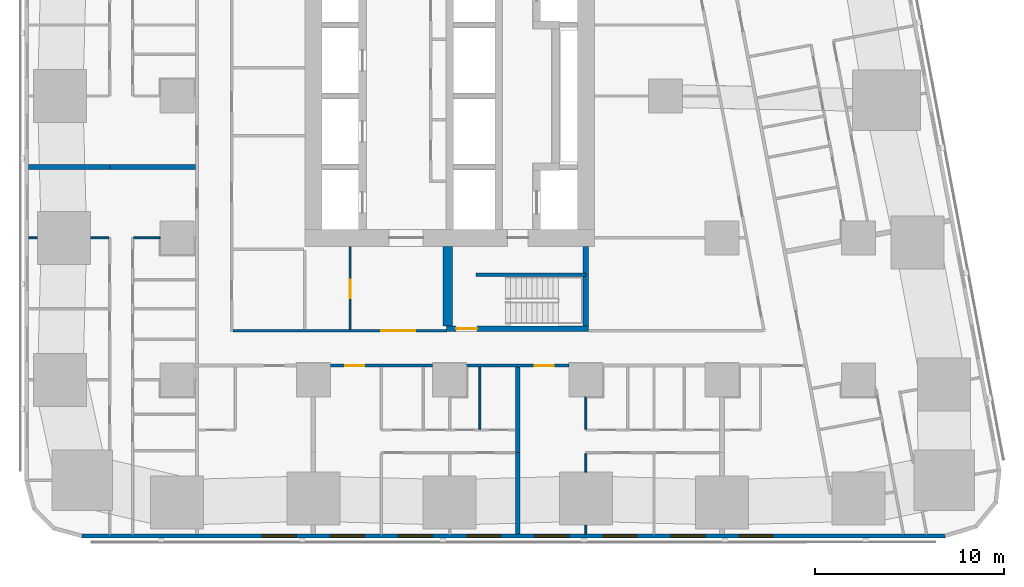
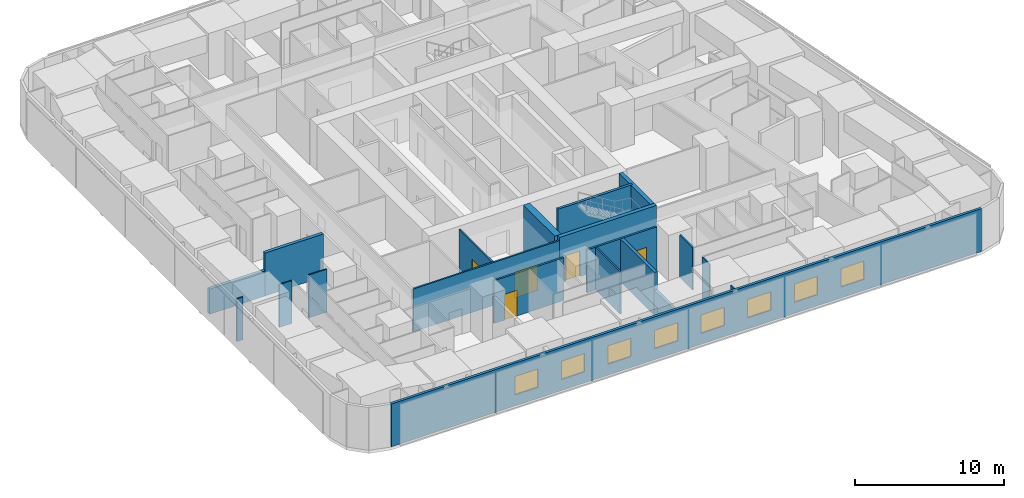
# One storey, part 3 of 18: 20 walls, 8 windows, 5 doors, 13 openings.
"""IFC4 building model written with IfcOpenShell, lengths in metres."""

from ifc_helpers import new_model, si_unit, direction, frame, frame_2d, origin, place, context, subcontext, project, spatial, rectangle, extrude, material, layer, layer_set, type_object, element, fill, save


model = new_model("IFC4")

# Units and contexts
model_context = context("Model", 3, precision=1e-05, world=origin(), true_north=direction((0.0, 1.0)))
body_context = subcontext(model_context, "Body", "Model", "MODEL_VIEW")
ifc_project = project(units=[si_unit("LENGTHUNIT", "METRE"), si_unit("AREAUNIT", "SQUARE_METRE"), si_unit("VOLUMEUNIT", "CUBIC_METRE"), si_unit("PLANEANGLEUNIT", "RADIAN"), si_unit("MASSUNIT", "GRAM", prefix="KILO")], contexts=[model_context])

# Site, building, storey
site_placement = place(None, origin())
site = spatial("IfcSite", under=ifc_project, at=site_placement, CompositionType="ELEMENT")
building_placement = place(site_placement, origin())
building = spatial("IfcBuilding", under=site, at=building_placement, Name="Sheger Commons Tower", CompositionType="ELEMENT")
storey_placement = place(building_placement, frame((0.0, 0.0, 38.75)))
storey = spatial("IfcBuildingStorey", under=building, at=storey_placement, Name="L09", CompositionType="ELEMENT", Elevation=38.75)

# Wall, opening, door
ifc_material_1 = material(Name="Hollow concrete block masonry, skimmed both sides", Category="masonry")
ifc_layer_1 = layer(ifc_material_1, 0.14990234375)
ifc_layer_set_1 = layer_set([ifc_layer_1], Name="CORRIDOR WALL 150")
wall_type_1 = type_object("IfcWallType", Name="CORRIDOR WALL 150", PredefinedType="SOLIDWALL", material=ifc_layer_set_1)
wall_1_placement = place(storey_placement, frame((27.89892578125, 8.25, 0.0), z_axis=(0.0, 0.0, 1.0), x_axis=(-1.0, 0.0, 0.0)))
wall_1 = element("IfcWall", 1, at=wall_1_placement, inside=storey, type_object=wall_type_1, Name="Corridor wall L09", PredefinedType="SOLIDWALL", context=body_context, shape_type="SweptSolid", body=[
    extrude(rectangle(XDim=5.39794921875, YDim=0.14990234375, at=frame_2d((2.698974609375, 0.0))), origin(), (0.0, 0.0, 1.0), 3.5),
])
opening_1_placement = place(wall_1_placement, frame((0.799072265625, 0.0, 0.0)))
opening_1 = element("IfcOpeningElement", 2, at=opening_1_placement, cuts=wall_1, Name="Opening D1", PredefinedType="OPENING", context=body_context, shape_type="SweptSolid", body=[
    extrude(rectangle(XDim=1.0, YDim=2.10009765625, at=frame_2d((0.5, 1.050048828125))), frame((0.0, 0.0849609375, 0.0), z_axis=(0.0, -1.0, 0.0), x_axis=(1.0, 0.0, 0.0)), (0.0, 0.0, 1.0), 0.169921875),
])
ifc_material_2 = material(Name="Steel door set, fire rated", Category="steel")
door_type_1 = type_object("IfcDoorType", Name="FLAT ENTRANCE DOOR 1000x2100", OperationType="NOTDEFINED", PredefinedType="DOOR", material=ifc_material_2)
door_1_placement = place(opening_1_placement, origin())
door_1 = element("IfcDoor", 3, at=door_1_placement, inside=storey, type_object=door_type_1, Name="Flat entrance door", OperationType="SINGLE_SWING_LEFT", OverallHeight=2.10009765625, OverallWidth=1.0, PredefinedType="DOOR", context=body_context, shape_type="SweptSolid", body=[
    extrude(rectangle(XDim=1.0, YDim=2.10009765625, at=frame_2d((0.5, 1.050048828125))), frame((0.0, 0.02490234375, 0.0), z_axis=(0.0, -1.0, 0.0), x_axis=(1.0, 0.0, 0.0)), (0.0, 0.0, 1.0), 0.050048828125),
])
fill(opening_1, door_1)

wall_2_placement = place(storey_placement, frame((20.698974609375, 8.25, 0.0), z_axis=(0.0, 0.0, 1.0), x_axis=(-1.0, 0.0, 0.0)))
wall_2 = element("IfcWall", 4, at=wall_2_placement, inside=storey, type_object=wall_type_1, Name="Corridor wall L09", PredefinedType="SOLIDWALL", context=body_context, shape_type="SweptSolid", body=[
    extrude(rectangle(XDim=5.39794921875, YDim=0.14990234375, at=frame_2d((2.698974609375, 0.0))), origin(), (0.0, 0.0, 1.0), 3.5),
])
opening_2_placement = place(wall_2_placement, frame((3.59912109375, 0.0, 0.0)))
opening_2 = element("IfcOpeningElement", 5, at=opening_2_placement, cuts=wall_2, Name="Opening D1", PredefinedType="OPENING", context=body_context, shape_type="SweptSolid", body=[
    extrude(rectangle(XDim=1.0, YDim=2.10009765625, at=frame_2d((0.5, 1.050048828125))), frame((0.0, 0.0849609375, 0.0), z_axis=(0.0, -1.0, 0.0), x_axis=(1.0, 0.0, 0.0)), (0.0, 0.0, 1.0), 0.169921875),
])
door_2_placement = place(opening_2_placement, origin())
door_2 = element("IfcDoor", 6, at=door_2_placement, inside=storey, type_object=door_type_1, Name="Flat entrance door", OperationType="SINGLE_SWING_RIGHT", OverallHeight=2.10009765625, OverallWidth=1.0, PredefinedType="DOOR", context=body_context, shape_type="SweptSolid", body=[
    extrude(rectangle(XDim=1.0, YDim=2.10009765625, at=frame_2d((0.5, 1.050048828125))), frame((0.0, 0.02490234375, 0.0), z_axis=(0.0, -1.0, 0.0), x_axis=(1.0, 0.0, 0.0)), (0.0, 0.0, 1.0), 0.050048828125),
])
fill(opening_2, door_2)

# Walls
ifc_material_3 = material(Name="Dense concrete block masonry, plastered both sides (separating wall between flats)", Category="masonry")
ifc_layer_2 = layer(ifc_material_3, 0.25)
ifc_layer_set_2 = layer_set([ifc_layer_2], Name="DEMISING WALL 250")
wall_type_2 = type_object("IfcWallType", Name="DEMISING WALL 250", PredefinedType="SOLIDWALL", material=ifc_layer_set_2)
wall_3_placement = place(storey_placement, frame((-0.64990234375, 18.75, 0.0), z_axis=(0.0, 0.0, 1.0), x_axis=(1.0, 0.0, 0.0)))
element("IfcWall", 7, at=wall_3_placement, inside=storey, type_object=wall_type_2, Name="Demising wall L09", PredefinedType="SOLIDWALL", context=body_context, shape_type="SweptSolid", body=[
    extrude(rectangle(XDim=4.2998046875, YDim=0.25, at=frame_2d((2.14990234375, 0.0))), origin(), (0.0, 0.0, 1.0), 2.050048828125),
])
wall_4_placement = place(storey_placement, frame((3.64990234375, 18.75, 0.0), z_axis=(0.0, 0.0, 1.0), x_axis=(1.0, 0.0, 0.0)))
element("IfcWall", 8, at=wall_4_placement, inside=storey, type_object=wall_type_2, Name="Demising wall L09", PredefinedType="SOLIDWALL", context=body_context, shape_type="SweptSolid", body=[
    extrude(rectangle(XDim=4.525146484375, YDim=0.25, at=frame_2d((2.2626953125, 0.0))), origin(), (0.0, 0.0, 1.0), 3.5),
])
wall_5_placement = place(storey_placement, frame((25.199951171875, -0.64990234375, 0.0), z_axis=(0.0, 0.0, 1.0), x_axis=(0.0, 1.0, 0.0)))
element("IfcWall", 9, at=wall_5_placement, inside=storey, type_object=wall_type_2, Name="Demising wall L09", PredefinedType="SOLIDWALL", context=body_context, shape_type="SweptSolid", body=[
    extrude(rectangle(XDim=4.2998046875, YDim=0.25, at=frame_2d((2.14990234375, 0.0))), origin(), (0.0, 0.0, 1.0), 2.050048828125),
])
wall_6_placement = place(storey_placement, frame((25.199951171875, 3.64990234375, 0.0), z_axis=(0.0, 0.0, 1.0), x_axis=(0.0, 1.0, 0.0)))
element("IfcWall", 10, at=wall_6_placement, inside=storey, type_object=wall_type_2, Name="Demising wall L09", PredefinedType="SOLIDWALL", context=body_context, shape_type="SweptSolid", body=[
    extrude(rectangle(XDim=4.525146484375, YDim=0.25, at=frame_2d((2.2626953125, 0.0))), origin(), (0.0, 0.0, 1.0), 3.5),
])

# Wall, openings, windows
ifc_material_4 = material(Name="Rendered concrete block masonry, dark grey", Category="masonry")
ifc_layer_3 = layer(ifc_material_4, 0.199951171875)
ifc_layer_set_3 = layer_set([ifc_layer_3], Name="FACADE WALL 200")
wall_type_3 = type_object("IfcWallType", Name="FACADE WALL 200", PredefinedType="SOLIDWALL", material=ifc_layer_set_3)
wall_7_placement = place(storey_placement, frame((2.1630859375, -0.75, 0.0), z_axis=(0.0, 0.0, 1.0), x_axis=(1.0, 0.0, 0.0)))
wall_7 = element("IfcWall", 11, at=wall_7_placement, inside=storey, type_object=wall_type_3, Name="Facade wall L09", PredefinedType="SOLIDWALL", context=body_context, shape_type="SweptSolid", body=[
    extrude(rectangle(XDim=45.6279296875, YDim=0.199951171875, at=frame_2d((22.81396484375, 0.0))), origin(), (0.0, 0.0, 1.0), 3.5),
])
opening_3_placement = place(wall_7_placement, frame((9.537109375, 0.0, 0.89990234375)))
opening_3 = element("IfcOpeningElement", 12, at=opening_3_placement, cuts=wall_7, Name="Opening W2", PredefinedType="OPENING", context=body_context, shape_type="SweptSolid", body=[
    extrude(rectangle(XDim=1.800048828125, YDim=1.5, at=frame_2d((0.89990234375, 0.75))), frame((0.0, 0.10986328125, 0.0), z_axis=(0.0, -1.0, 0.0), x_axis=(1.0, 0.0, 0.0)), (0.0, 0.0, 1.0), 0.219970703125),
])
opening_4_placement = place(wall_7_placement, frame((13.136962890625, 0.0, 0.89990234375)))
opening_4 = element("IfcOpeningElement", 13, at=opening_4_placement, cuts=wall_7, Name="Opening W2", PredefinedType="OPENING", context=body_context, shape_type="SweptSolid", body=[
    extrude(rectangle(XDim=1.800048828125, YDim=1.5, at=frame_2d((0.89990234375, 0.75))), frame((0.0, 0.10986328125, 0.0), z_axis=(0.0, -1.0, 0.0), x_axis=(1.0, 0.0, 0.0)), (0.0, 0.0, 1.0), 0.219970703125),
])
opening_5_placement = place(wall_7_placement, frame((16.737060546875, 0.0, 0.89990234375)))
opening_5 = element("IfcOpeningElement", 14, at=opening_5_placement, cuts=wall_7, Name="Opening W2", PredefinedType="OPENING", context=body_context, shape_type="SweptSolid", body=[
    extrude(rectangle(XDim=1.800048828125, YDim=1.5, at=frame_2d((0.89990234375, 0.75))), frame((0.0, 0.10986328125, 0.0), z_axis=(0.0, -1.0, 0.0), x_axis=(1.0, 0.0, 0.0)), (0.0, 0.0, 1.0), 0.219970703125),
])
opening_6_placement = place(wall_7_placement, frame((20.3369140625, 0.0, 0.89990234375)))
opening_6 = element("IfcOpeningElement", 15, at=opening_6_placement, cuts=wall_7, Name="Opening W2", PredefinedType="OPENING", context=body_context, shape_type="SweptSolid", body=[
    extrude(rectangle(XDim=1.800048828125, YDim=1.5, at=frame_2d((0.89990234375, 0.75))), frame((0.0, 0.10986328125, 0.0), z_axis=(0.0, -1.0, 0.0), x_axis=(1.0, 0.0, 0.0)), (0.0, 0.0, 1.0), 0.219970703125),
])
opening_7_placement = place(wall_7_placement, frame((23.93701171875, 0.0, 0.89990234375)))
opening_7 = element("IfcOpeningElement", 16, at=opening_7_placement, cuts=wall_7, Name="Opening W2", PredefinedType="OPENING", context=body_context, shape_type="SweptSolid", body=[
    extrude(rectangle(XDim=1.800048828125, YDim=1.5, at=frame_2d((0.89990234375, 0.75))), frame((0.0, 0.10986328125, 0.0), z_axis=(0.0, -1.0, 0.0), x_axis=(1.0, 0.0, 0.0)), (0.0, 0.0, 1.0), 0.219970703125),
])
opening_8_placement = place(wall_7_placement, frame((27.537109375, 0.0, 0.89990234375)))
opening_8 = element("IfcOpeningElement", 17, at=opening_8_placement, cuts=wall_7, Name="Opening W2", PredefinedType="OPENING", context=body_context, shape_type="SweptSolid", body=[
    extrude(rectangle(XDim=1.800048828125, YDim=1.5, at=frame_2d((0.89990234375, 0.75))), frame((0.0, 0.10986328125, 0.0), z_axis=(0.0, -1.0, 0.0), x_axis=(1.0, 0.0, 0.0)), (0.0, 0.0, 1.0), 0.219970703125),
])
opening_9_placement = place(wall_7_placement, frame((31.136962890625, 0.0, 0.89990234375)))
opening_9 = element("IfcOpeningElement", 18, at=opening_9_placement, cuts=wall_7, Name="Opening W2", PredefinedType="OPENING", context=body_context, shape_type="SweptSolid", body=[
    extrude(rectangle(XDim=1.800048828125, YDim=1.5, at=frame_2d((0.89990234375, 0.75))), frame((0.0, 0.10986328125, 0.0), z_axis=(0.0, -1.0, 0.0), x_axis=(1.0, 0.0, 0.0)), (0.0, 0.0, 1.0), 0.219970703125),
])
opening_10_placement = place(wall_7_placement, frame((34.737060546875, 0.0, 0.89990234375)))
opening_10 = element("IfcOpeningElement", 19, at=opening_10_placement, cuts=wall_7, Name="Opening W2", PredefinedType="OPENING", context=body_context, shape_type="SweptSolid", body=[
    extrude(rectangle(XDim=1.800048828125, YDim=1.5, at=frame_2d((0.89990234375, 0.75))), frame((0.0, 0.10986328125, 0.0), z_axis=(0.0, -1.0, 0.0), x_axis=(1.0, 0.0, 0.0)), (0.0, 0.0, 1.0), 0.219970703125),
])
ifc_material_5 = material(Name="Black aluminium frame, dark tinted double glazing", Category="aluminium")
window_type = type_object("IfcWindowType", Name="WINDOW W2 1800x1500", PartitioningType="SINGLE_PANEL", PredefinedType="WINDOW", material=ifc_material_5)
window_1_placement = place(opening_3_placement, origin())
window_1 = element("IfcWindow", 20, at=window_1_placement, inside=storey, type_object=window_type, Name="Window W2 1800X1500", OverallHeight=1.5, OverallWidth=1.800048828125, PartitioningType="SINGLE_PANEL", PredefinedType="WINDOW", context=body_context, shape_type="SweptSolid", body=[
    extrude(rectangle(XDim=1.800048828125, YDim=1.5, at=frame_2d((0.89990234375, 0.75))), frame((0.0, 0.030029296875, 0.0), z_axis=(0.0, -1.0, 0.0), x_axis=(1.0, 0.0, 0.0)), (0.0, 0.0, 1.0), 0.06005859375),
])
fill(opening_3, window_1)
window_2_placement = place(opening_4_placement, origin())
window_2 = element("IfcWindow", 21, at=window_2_placement, inside=storey, type_object=window_type, Name="Window W2 1800X1500", OverallHeight=1.5, OverallWidth=1.800048828125, PartitioningType="SINGLE_PANEL", PredefinedType="WINDOW", context=body_context, shape_type="SweptSolid", body=[
    extrude(rectangle(XDim=1.800048828125, YDim=1.5, at=frame_2d((0.89990234375, 0.75))), frame((0.0, 0.030029296875, 0.0), z_axis=(0.0, -1.0, 0.0), x_axis=(1.0, 0.0, 0.0)), (0.0, 0.0, 1.0), 0.06005859375),
])
fill(opening_4, window_2)
window_3_placement = place(opening_5_placement, origin())
window_3 = element("IfcWindow", 22, at=window_3_placement, inside=storey, type_object=window_type, Name="Window W2 1800X1500", OverallHeight=1.5, OverallWidth=1.800048828125, PartitioningType="SINGLE_PANEL", PredefinedType="WINDOW", context=body_context, shape_type="SweptSolid", body=[
    extrude(rectangle(XDim=1.800048828125, YDim=1.5, at=frame_2d((0.89990234375, 0.75))), frame((0.0, 0.030029296875, 0.0), z_axis=(0.0, -1.0, 0.0), x_axis=(1.0, 0.0, 0.0)), (0.0, 0.0, 1.0), 0.06005859375),
])
fill(opening_5, window_3)
window_4_placement = place(opening_6_placement, origin())
window_4 = element("IfcWindow", 23, at=window_4_placement, inside=storey, type_object=window_type, Name="Window W2 1800X1500", OverallHeight=1.5, OverallWidth=1.800048828125, PartitioningType="SINGLE_PANEL", PredefinedType="WINDOW", context=body_context, shape_type="SweptSolid", body=[
    extrude(rectangle(XDim=1.800048828125, YDim=1.5, at=frame_2d((0.89990234375, 0.75))), frame((0.0, 0.030029296875, 0.0), z_axis=(0.0, -1.0, 0.0), x_axis=(1.0, 0.0, 0.0)), (0.0, 0.0, 1.0), 0.06005859375),
])
fill(opening_6, window_4)
window_5_placement = place(opening_7_placement, origin())
window_5 = element("IfcWindow", 24, at=window_5_placement, inside=storey, type_object=window_type, Name="Window W2 1800X1500", OverallHeight=1.5, OverallWidth=1.800048828125, PartitioningType="SINGLE_PANEL", PredefinedType="WINDOW", context=body_context, shape_type="SweptSolid", body=[
    extrude(rectangle(XDim=1.800048828125, YDim=1.5, at=frame_2d((0.89990234375, 0.75))), frame((0.0, 0.030029296875, 0.0), z_axis=(0.0, -1.0, 0.0), x_axis=(1.0, 0.0, 0.0)), (0.0, 0.0, 1.0), 0.06005859375),
])
fill(opening_7, window_5)
window_6_placement = place(opening_8_placement, origin())
window_6 = element("IfcWindow", 25, at=window_6_placement, inside=storey, type_object=window_type, Name="Window W2 1800X1500", OverallHeight=1.5, OverallWidth=1.800048828125, PartitioningType="SINGLE_PANEL", PredefinedType="WINDOW", context=body_context, shape_type="SweptSolid", body=[
    extrude(rectangle(XDim=1.800048828125, YDim=1.5, at=frame_2d((0.89990234375, 0.75))), frame((0.0, 0.030029296875, 0.0), z_axis=(0.0, -1.0, 0.0), x_axis=(1.0, 0.0, 0.0)), (0.0, 0.0, 1.0), 0.06005859375),
])
fill(opening_8, window_6)
window_7_placement = place(opening_9_placement, origin())
window_7 = element("IfcWindow", 26, at=window_7_placement, inside=storey, type_object=window_type, Name="Window W2 1800X1500", OverallHeight=1.5, OverallWidth=1.800048828125, PartitioningType="SINGLE_PANEL", PredefinedType="WINDOW", context=body_context, shape_type="SweptSolid", body=[
    extrude(rectangle(XDim=1.800048828125, YDim=1.5, at=frame_2d((0.89990234375, 0.75))), frame((0.0, 0.030029296875, 0.0), z_axis=(0.0, -1.0, 0.0), x_axis=(1.0, 0.0, 0.0)), (0.0, 0.0, 1.0), 0.06005859375),
])
fill(opening_9, window_7)
window_8_placement = place(opening_10_placement, origin())
window_8 = element("IfcWindow", 27, at=window_8_placement, inside=storey, type_object=window_type, Name="Window W2 1800X1500", OverallHeight=1.5, OverallWidth=1.800048828125, PartitioningType="SINGLE_PANEL", PredefinedType="WINDOW", context=body_context, shape_type="SweptSolid", body=[
    extrude(rectangle(XDim=1.800048828125, YDim=1.5, at=frame_2d((0.89990234375, 0.75))), frame((0.0, 0.030029296875, 0.0), z_axis=(0.0, -1.0, 0.0), x_axis=(1.0, 0.0, 0.0)), (0.0, 0.0, 1.0), 0.06005859375),
])
fill(opening_10, window_8)

# Walls
ifc_material_6 = material(Name="Gypsum board on steel studs", Category="steel")
ifc_layer_4 = layer(ifc_material_6, 0.10009765625)
ifc_layer_set_4 = layer_set([ifc_layer_4], Name="PARTITION 100")
wall_type_4 = type_object("IfcWallType", Name="PARTITION 100", PredefinedType="PARTITIONING", material=ifc_layer_set_4)
wall_8_placement = place(storey_placement, frame((-0.64990234375, 15.0, 0.0), z_axis=(0.0, 0.0, 1.0), x_axis=(1.0, 0.0, 0.0)))
element("IfcWall", 28, at=wall_8_placement, inside=storey, type_object=wall_type_4, Name="Partition L09", PredefinedType="PARTITIONING", context=body_context, shape_type="SweptSolid", body=[
    extrude(rectangle(XDim=0.473876953125, YDim=0.10009765625, at=frame_2d((0.23681640625, 0.0))), origin(), (0.0, 0.0, 1.0), 3.5),
])
wall_9_placement = place(storey_placement, frame((2.6259765625, 15.0, 0.0), z_axis=(0.0, 0.0, 1.0), x_axis=(1.0, 0.0, 0.0)))
element("IfcWall", 29, at=wall_9_placement, inside=storey, type_object=wall_type_4, Name="Partition L09", PredefinedType="PARTITIONING", context=body_context, shape_type="SweptSolid", body=[
    extrude(rectangle(XDim=0.97412109375, YDim=0.10009765625, at=frame_2d((0.487060546875, 0.0))), origin(), (0.0, 0.0, 1.0), 3.5),
])
wall_10_placement = place(storey_placement, frame((4.89990234375, 15.0, 0.0), z_axis=(0.0, 0.0, 1.0), x_axis=(1.0, 0.0, 0.0)))
element("IfcWall", 30, at=wall_10_placement, inside=storey, type_object=wall_type_4, Name="Partition L09", PredefinedType="PARTITIONING", context=body_context, shape_type="SweptSolid", body=[
    extrude(rectangle(XDim=1.399169921875, YDim=0.10009765625, at=frame_2d((0.69970703125, 0.0))), origin(), (0.0, 0.0, 1.0), 3.5),
])
wall_11_placement = place(storey_placement, frame((23.199951171875, 4.89990234375, 0.0), z_axis=(0.0, 0.0, 1.0), x_axis=(0.0, 1.0, 0.0)))
element("IfcWall", 31, at=wall_11_placement, inside=storey, type_object=wall_type_4, Name="Partition L09", PredefinedType="PARTITIONING", context=body_context, shape_type="SweptSolid", body=[
    extrude(rectangle(XDim=3.275146484375, YDim=0.10009765625, at=frame_2d((1.6376953125, 0.0))), origin(), (0.0, 0.0, 1.0), 3.5),
])
wall_12_placement = place(storey_placement, frame((28.800048828125, -0.64990234375, 0.0), z_axis=(0.0, 0.0, 1.0), x_axis=(0.0, 1.0, 0.0)))
element("IfcWall", 32, at=wall_12_placement, inside=storey, type_object=wall_type_4, Name="Partition L09", PredefinedType="PARTITIONING", context=body_context, shape_type="SweptSolid", body=[
    extrude(rectangle(XDim=0.473876953125, YDim=0.10009765625, at=frame_2d((0.23681640625, 0.0))), origin(), (0.0, 0.0, 1.0), 3.5),
])
wall_13_placement = place(storey_placement, frame((28.800048828125, 2.6259765625, 0.0), z_axis=(0.0, 0.0, 1.0), x_axis=(0.0, 1.0, 0.0)))
element("IfcWall", 33, at=wall_13_placement, inside=storey, type_object=wall_type_4, Name="Partition L09", PredefinedType="PARTITIONING", context=body_context, shape_type="SweptSolid", body=[
    extrude(rectangle(XDim=0.97412109375, YDim=0.10009765625, at=frame_2d((0.487060546875, 0.0))), origin(), (0.0, 0.0, 1.0), 3.5),
])
wall_14_placement = place(storey_placement, frame((28.800048828125, 4.89990234375, 0.0), z_axis=(0.0, 0.0, 1.0), x_axis=(0.0, 1.0, 0.0)))
element("IfcWall", 34, at=wall_14_placement, inside=storey, type_object=wall_type_4, Name="Partition L09", PredefinedType="PARTITIONING", context=body_context, shape_type="SweptSolid", body=[
    extrude(rectangle(XDim=1.69921875, YDim=0.10009765625, at=frame_2d((0.849609375, 0.0))), origin(), (0.0, 0.0, 1.0), 3.5),
])

# Wall, opening, door
ifc_material_7 = material(Name="Gypsum board on steel studs, two layers each side, fire rated", Category="steel")
ifc_layer_5 = layer(ifc_material_7, 0.125)
ifc_layer_set_5 = layer_set([ifc_layer_5], Name="SERVICE WALL 125")
wall_type_5 = type_object("IfcWallType", Name="SERVICE WALL 125", PredefinedType="PARTITIONING", material=ifc_layer_set_5)
wall_15_placement = place(storey_placement, frame((10.1630859375, 10.10009765625, 0.0), z_axis=(0.0, 0.0, 1.0), x_axis=(1.0, 0.0, 0.0)))
wall_15 = element("IfcWall", 35, at=wall_15_placement, inside=storey, type_object=wall_type_5, Name="Service room wall L09", PredefinedType="PARTITIONING", context=body_context, shape_type="SweptSolid", body=[
    extrude(rectangle(XDim=11.286865234375, YDim=0.125, at=frame_2d((5.6435546875, 0.0))), origin(), (0.0, 0.0, 1.0), 3.5),
])
opening_11_placement = place(wall_15_placement, frame((7.83203125, 0.0, 0.0)))
opening_11 = element("IfcOpeningElement", 36, at=opening_11_placement, cuts=wall_15, Name="Opening D6", PredefinedType="OPENING", context=body_context, shape_type="SweptSolid", body=[
    extrude(rectangle(XDim=1.800048828125, YDim=2.10009765625, at=frame_2d((0.89990234375, 1.050048828125))), frame((0.0, 0.072509765625, 0.0), z_axis=(0.0, -1.0, 0.0), x_axis=(1.0, 0.0, 0.0)), (0.0, 0.0, 1.0), 0.14501953125),
])
ifc_material_8 = material(Name="Steel door set, fire rated", Category="steel")
door_type_2 = type_object("IfcDoorType", Name="LOBBY DOUBLE DOOR 1800x2100", OperationType="DOUBLE_DOOR_SINGLE_SWING", PredefinedType="DOOR", material=ifc_material_8)
door_3_placement = place(opening_11_placement, origin())
door_3 = element("IfcDoor", 37, at=door_3_placement, inside=storey, type_object=door_type_2, Name="Lift lobby south door", OperationType="DOUBLE_DOOR_SINGLE_SWING", OverallHeight=2.10009765625, OverallWidth=1.800048828125, PredefinedType="DOOR", context=body_context, shape_type="SweptSolid", body=[
    extrude(rectangle(XDim=1.800048828125, YDim=2.10009765625, at=frame_2d((0.89990234375, 1.050048828125))), frame((0.0, 0.02490234375, 0.0), z_axis=(0.0, -1.0, 0.0), x_axis=(1.0, 0.0, 0.0)), (0.0, 0.0, 1.0), 0.050048828125),
])
fill(opening_11, door_3)

wall_16_placement = place(storey_placement, frame((16.340087890625, 10.1630859375, 0.0), z_axis=(0.0, 0.0, 1.0), x_axis=(0.0, 1.0, 0.0)))
wall_16 = element("IfcWall", 38, at=wall_16_placement, inside=storey, type_object=wall_type_5, Name="Service room wall L09", PredefinedType="PARTITIONING", context=body_context, shape_type="SweptSolid", body=[
    extrude(rectangle(XDim=4.386962890625, YDim=0.125, at=frame_2d((2.193359375, 0.0))), origin(), (0.0, 0.0, 1.0), 3.5),
])
opening_12_placement = place(wall_16_placement, frame((1.636962890625, 0.0, 0.0)))
opening_12 = element("IfcOpeningElement", 39, at=opening_12_placement, cuts=wall_16, Name="Opening D4", PredefinedType="OPENING", context=body_context, shape_type="SweptSolid", body=[
    extrude(rectangle(XDim=1.0, YDim=2.10009765625, at=frame_2d((0.5, 1.050048828125))), frame((0.0, 0.072509765625, 0.0), z_axis=(0.0, -1.0, 0.0), x_axis=(1.0, 0.0, 0.0)), (0.0, 0.0, 1.0), 0.14501953125),
])
ifc_material_9 = material(Name="Steel door set, fire rated", Category="steel")
door_type_3 = type_object("IfcDoorType", Name="SERVICE DOOR 1000x2100", OperationType="NOTDEFINED", PredefinedType="DOOR", material=ifc_material_9)
door_4_placement = place(opening_12_placement, origin())
door_4 = element("IfcDoor", 40, at=door_4_placement, inside=storey, type_object=door_type_3, Name="Electrical room door", OperationType="SINGLE_SWING_LEFT", OverallHeight=2.10009765625, OverallWidth=1.0, PredefinedType="DOOR", context=body_context, shape_type="SweptSolid", body=[
    extrude(rectangle(XDim=1.0, YDim=2.10009765625, at=frame_2d((0.5, 1.050048828125))), frame((0.0, 0.02490234375, 0.0), z_axis=(0.0, -1.0, 0.0), x_axis=(1.0, 0.0, 0.0)), (0.0, 0.0, 1.0), 0.050048828125),
])
fill(opening_12, door_4)

ifc_material_10 = material(Name="Concrete C50/60", Category="concrete")
ifc_layer_6 = layer(ifc_material_10, 0.300048828125)
ifc_layer_set_6 = layer_set([ifc_layer_6], Name="STAIR CORE WALL 300")
wall_type_6 = type_object("IfcWallType", Name="STAIR CORE WALL 300", PredefinedType="SHEAR", material=ifc_layer_set_6)
wall_17_placement = place(storey_placement, frame((21.449951171875, 10.199951171875, 0.0), z_axis=(0.0, 0.0, 1.0), x_axis=(1.0, 0.0, 0.0)))
wall_17 = element("IfcWall", 41, at=wall_17_placement, inside=storey, type_object=wall_type_6, Name="STW-L09-S1S", PredefinedType="SHEAR", context=body_context, shape_type="SweptSolid", body=[
    extrude(rectangle(XDim=7.5, YDim=0.300048828125, at=frame_2d((3.75, 0.0))), origin(), (0.0, 0.0, 1.0), 3.75),
])
opening_13_placement = place(wall_17_placement, frame((0.5, 0.0, 0.0)))
opening_13 = element("IfcOpeningElement", 42, at=opening_13_placement, cuts=wall_17, Name="Opening D5", PredefinedType="OPENING", context=body_context, shape_type="SweptSolid", body=[
    extrude(rectangle(XDim=1.10009765625, YDim=2.10009765625, at=frame_2d((0.550048828125, 1.050048828125))), frame((0.0, 0.159912109375, 0.0), z_axis=(0.0, -1.0, 0.0), x_axis=(1.0, 0.0, 0.0)), (0.0, 0.0, 1.0), 0.320068359375),
])
ifc_material_11 = material(Name="Steel door set, fire rated", Category="steel")
door_type_4 = type_object("IfcDoorType", Name="STAIR DOOR 1100x2100", OperationType="NOTDEFINED", PredefinedType="DOOR", material=ifc_material_11)
door_5_placement = place(opening_13_placement, origin())
door_5 = element("IfcDoor", 43, at=door_5_placement, inside=storey, type_object=door_type_4, Name="Stair S1 door", OperationType="SINGLE_SWING_LEFT", OverallHeight=2.10009765625, OverallWidth=1.10009765625, PredefinedType="DOOR", context=body_context, shape_type="SweptSolid", body=[
    extrude(rectangle(XDim=1.10009765625, YDim=2.10009765625, at=frame_2d((0.550048828125, 1.050048828125))), frame((0.0, 0.02490234375, 0.0), z_axis=(0.0, -1.0, 0.0), x_axis=(1.0, 0.0, 0.0)), (0.0, 0.0, 1.0), 0.050048828125),
])
fill(opening_13, door_5)

# Walls
wall_18_placement = place(storey_placement, frame((28.800048828125, 10.35009765625, 0.0), z_axis=(0.0, 0.0, 1.0), x_axis=(0.0, 1.0, 0.0)))
element("IfcWall", 44, at=wall_18_placement, inside=storey, type_object=wall_type_6, Name="STW-L09-S1E", PredefinedType="SHEAR", context=body_context, shape_type="SweptSolid", body=[
    extrude(rectangle(XDim=4.199951171875, YDim=0.300048828125, at=frame_2d((2.10009765625, 0.0))), origin(), (0.0, 0.0, 1.0), 3.75),
])
ifc_material_12 = material(Name="Concrete C50/60", Category="concrete")
ifc_layer_7 = layer(ifc_material_12, 0.5)
ifc_layer_set_7 = layer_set([ifc_layer_7], Name="STAIR CORE WALL 500")
wall_type_7 = type_object("IfcWallType", Name="STAIR CORE WALL 500", PredefinedType="SHEAR", material=ifc_layer_set_7)
wall_19_placement = place(storey_placement, frame((21.5, 10.35009765625, 0.0), z_axis=(0.0, 0.0, 1.0), x_axis=(0.0, 1.0, 0.0)))
element("IfcWall", 45, at=wall_19_placement, inside=storey, type_object=wall_type_7, Name="STW-L09-S1W", PredefinedType="SHEAR", context=body_context, shape_type="SweptSolid", body=[
    extrude(rectangle(XDim=4.199951171875, YDim=0.5, at=frame_2d((2.10009765625, 0.0))), origin(), (0.0, 0.0, 1.0), 3.75),
])
ifc_material_13 = material(Name="Concrete C50/60", Category="concrete")
ifc_layer_8 = layer(ifc_material_13, 0.199951171875)
ifc_layer_set_8 = layer_set([ifc_layer_8], Name="STAIR SPINE WALL 200")
wall_type_8 = type_object("IfcWallType", Name="STAIR SPINE WALL 200", PredefinedType="SHEAR", material=ifc_layer_set_8)
wall_20_placement = place(storey_placement, frame((23.0, 13.050048828125, 0.0), z_axis=(0.0, 0.0, 1.0), x_axis=(1.0, 0.0, 0.0)))
element("IfcWall", 46, at=wall_20_placement, inside=storey, type_object=wall_type_8, Name="Stair spine wall L09", PredefinedType="SHEAR", context=body_context, shape_type="SweptSolid", body=[
    extrude(rectangle(XDim=5.800048828125, YDim=0.199951171875, at=frame_2d((2.89990234375, 0.0))), origin(), (0.0, 0.0, 1.0), 3.75),
])

save(model, "model.ifc")
